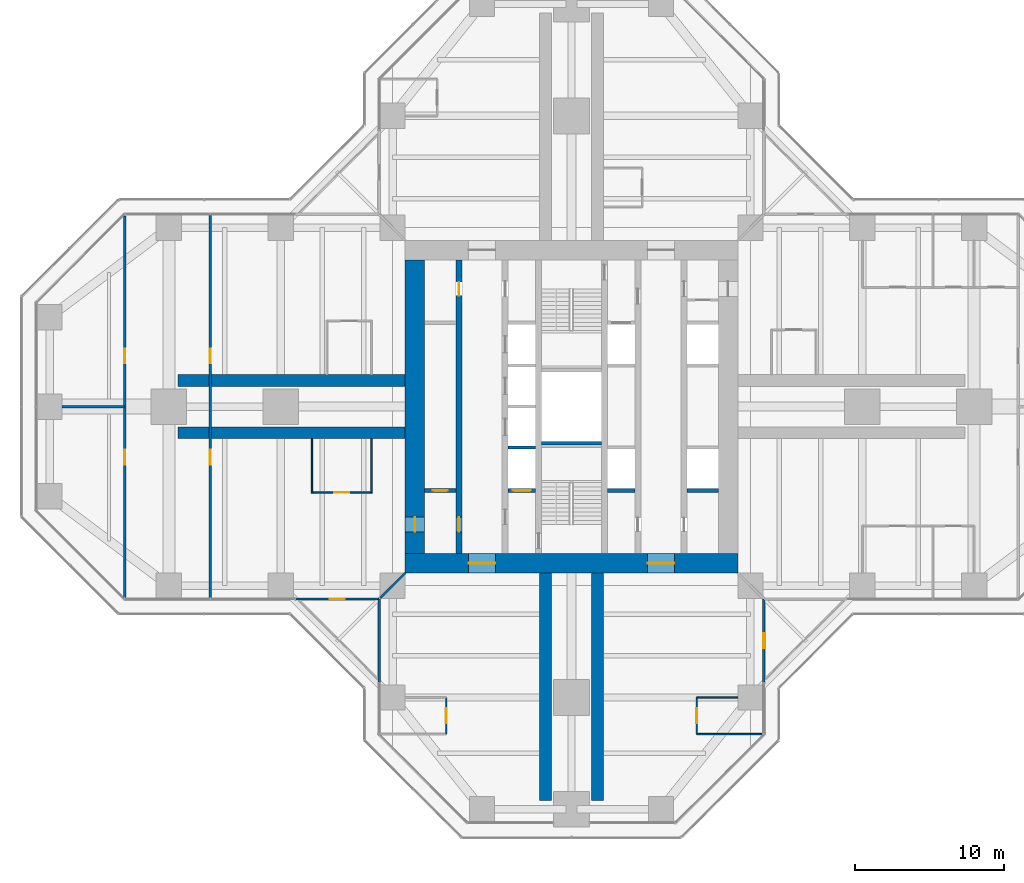
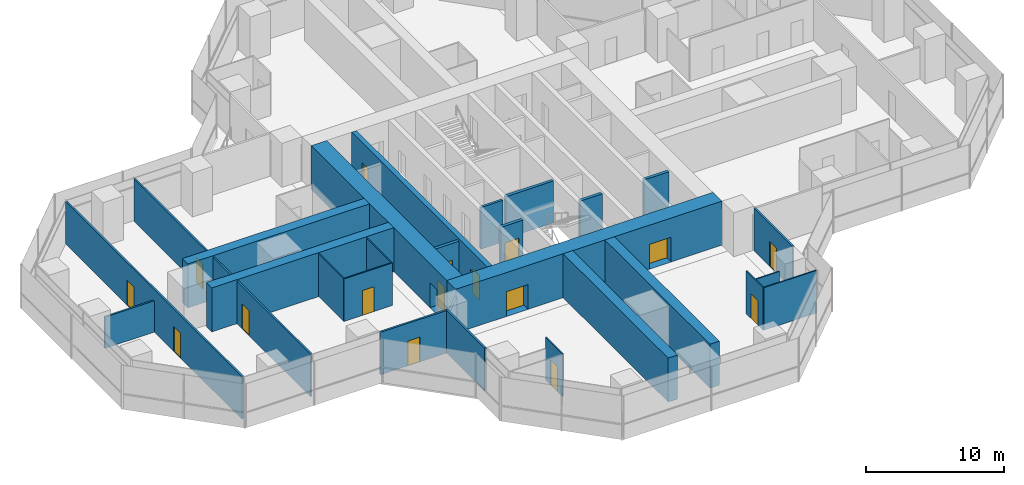
# One storey, part 15 of 20: 27 walls, 16 doors, 16 openings.
"""IFC4 building model written with IfcOpenShell, lengths in metres."""

from ifc_helpers import new_model, si_unit, direction, frame, frame_2d, origin, place, context, subcontext, project, spatial, rectangle, extrude, material, layer, layer_set, type_object, element, fill, save


model = new_model("IFC4")

# Units and contexts
model_context = context("Model", 3, precision=1e-05, world=origin(), true_north=direction((0.0, 1.0)))
body_context = subcontext(model_context, "Body", "Model", "MODEL_VIEW")
ifc_project = project(units=[si_unit("LENGTHUNIT", "METRE"), si_unit("AREAUNIT", "SQUARE_METRE"), si_unit("VOLUMEUNIT", "CUBIC_METRE"), si_unit("PLANEANGLEUNIT", "RADIAN"), si_unit("MASSUNIT", "GRAM", prefix="KILO")], contexts=[model_context])

# Site, building, storey
site_placement = place(None, origin())
site = spatial("IfcSite", under=ifc_project, at=site_placement, CompositionType="ELEMENT")
building_placement = place(site_placement, origin())
building = spatial("IfcBuilding", under=site, at=building_placement, Name="Mizan Broadcast Tower", CompositionType="ELEMENT")
storey_placement = place(building_placement, frame((0.0, 0.0, 155.39990234375)))
storey = spatial("IfcBuildingStorey", under=building, at=storey_placement, Name="L35", CompositionType="ELEMENT", Elevation=155.39990234375)

# Wall, openings, doors
ifc_material_1 = material(Name="Concrete C70/85", Category="concrete")
ifc_layer_1 = layer(ifc_material_1, 0.39990234375)
ifc_layer_set_1 = layer_set([ifc_layer_1], Name="Concrete C70/85")
wall_type_1 = type_object("IfcWallType", Name="CORE INTERNAL WALL 400", PredefinedType="SHEAR", material=ifc_layer_set_1)
wall_1_placement = place(storey_placement, frame((-7.550048828125, -9.85009765625, 0.0), z_axis=(0.0, 0.0, 1.0), x_axis=(0.0, 1.0, 0.0)))
wall_1 = element("IfcWall", 1, at=wall_1_placement, inside=storey, type_object=wall_type_1, Name="Core wall CORE/XW1", PredefinedType="SHEAR", context=body_context, shape_type="SweptSolid", body=[
    extrude(rectangle(XDim=19.7001953125, YDim=0.39990234375, at=frame_2d((9.85009765625, 0.0))), origin(), (0.0, 0.0, 1.0), 3.900146484375),
])
opening_1_placement = place(wall_1_placement, frame((1.449951171875, 0.0, 0.0)))
opening_1 = element("IfcOpeningElement", 2, at=opening_1_placement, cuts=wall_1, Name="Opening D10F", PredefinedType="OPENING", context=body_context, shape_type="SweptSolid", body=[
    extrude(rectangle(XDim=1.0, YDim=2.199951171875, at=frame_2d((0.5, 1.10009765625))), frame((0.0, 0.2099609375, 0.0), z_axis=(0.0, -1.0, 0.0), x_axis=(1.0, 0.0, 0.0)), (0.0, 0.0, 1.0), 0.419921875),
])
opening_2_placement = place(wall_1_placement, frame((17.300048828125, 0.0, 0.0)))
opening_2 = element("IfcOpeningElement", 3, at=opening_2_placement, cuts=wall_1, Name="Opening D09", PredefinedType="OPENING", context=body_context, shape_type="SweptSolid", body=[
    extrude(rectangle(XDim=0.89990234375, YDim=2.10009765625, at=frame_2d((0.449951171875, 1.050048828125))), frame((0.0, 0.2099609375, 0.0), z_axis=(0.0, -1.0, 0.0), x_axis=(1.0, 0.0, 0.0)), (0.0, 0.0, 1.0), 0.419921875),
])
ifc_material_2 = material(Name="Steel door leaf in steel frame", Category="steel")
door_type_1 = type_object("IfcDoorType", Name="FIRE DOOR 1000 FD90", OperationType="SINGLE_SWING_LEFT", PredefinedType="DOOR", material=ifc_material_2)
door_1_placement = place(opening_1_placement, origin())
door_1 = element("IfcDoor", 4, at=door_1_placement, inside=storey, type_object=door_type_1, Name="West core passage door", OperationType="SINGLE_SWING_LEFT", OverallHeight=2.199951171875, OverallWidth=1.0, PredefinedType="DOOR", context=body_context, shape_type="SweptSolid", body=[
    extrude(rectangle(XDim=1.0, YDim=2.199951171875, at=frame_2d((0.5, 1.10009765625))), frame((0.0, 0.02490234375, 0.0), z_axis=(0.0, -1.0, 0.0), x_axis=(1.0, 0.0, 0.0)), (0.0, 0.0, 1.0), 0.050048828125),
])
fill(opening_1, door_1)
ifc_material_3 = material(Name="Timber door leaf in aluminium frame", Category="wood")
door_type_2 = type_object("IfcDoorType", Name="TOILET DOOR 900", OperationType="SINGLE_SWING_LEFT", PredefinedType="DOOR", material=ifc_material_3)
door_2_placement = place(opening_2_placement, origin())
door_2 = element("IfcDoor", 5, at=door_2_placement, inside=storey, type_object=door_type_2, Name="Male WC door", OperationType="SINGLE_SWING_RIGHT", OverallHeight=2.10009765625, OverallWidth=0.89990234375, PredefinedType="DOOR", context=body_context, shape_type="SweptSolid", body=[
    extrude(rectangle(XDim=0.89990234375, YDim=2.10009765625, at=frame_2d((0.449951171875, 1.050048828125))), frame((0.0, 0.02490234375, 0.0), z_axis=(0.0, -1.0, 0.0), x_axis=(1.0, 0.0, 0.0)), (0.0, 0.0, 1.0), 0.050048828125),
])
fill(opening_2, door_2)

ifc_material_4 = material(Name="Concrete C70/85", Category="concrete")
ifc_layer_2 = layer(ifc_material_4, 1.300048828125)
ifc_layer_set_2 = layer_set([ifc_layer_2], Name="Concrete C70/85")
wall_type_2 = type_object("IfcWallType", Name="CORE WALL 1300", PredefinedType="SHEAR", material=ifc_layer_set_2)
wall_2_placement = place(storey_placement, frame((11.14990234375, -10.5, 0.0), z_axis=(0.0, 0.0, 1.0), x_axis=(-1.0, 0.0, 0.0)))
wall_2 = element("IfcWall", 6, at=wall_2_placement, inside=storey, type_object=wall_type_2, Name="Core wall S L35", PredefinedType="SHEAR", context=body_context, shape_type="SweptSolid", body=[
    extrude(rectangle(XDim=22.2998046875, YDim=1.300048828125, at=frame_2d((11.14990234375, 0.0))), origin(), (0.0, 0.0, 1.0), 3.900146484375),
])
opening_3_placement = place(wall_2_placement, frame((16.25, 0.0, 0.0)))
opening_3 = element("IfcOpeningElement", 7, at=opening_3_placement, cuts=wall_2, Name="Opening D18F", PredefinedType="OPENING", context=body_context, shape_type="SweptSolid", body=[
    extrude(rectangle(XDim=1.800048828125, YDim=2.199951171875, at=frame_2d((0.89990234375, 1.10009765625))), frame((0.0, 0.659912109375, 0.0), z_axis=(0.0, -1.0, 0.0), x_axis=(1.0, 0.0, 0.0)), (0.0, 0.0, 1.0), 1.320068359375),
])
opening_4_placement = place(wall_2_placement, frame((4.25, 0.0, 0.0)))
opening_4 = element("IfcOpeningElement", 8, at=opening_4_placement, cuts=wall_2, Name="Opening D18F", PredefinedType="OPENING", context=body_context, shape_type="SweptSolid", body=[
    extrude(rectangle(XDim=1.800048828125, YDim=2.199951171875, at=frame_2d((0.89990234375, 1.10009765625))), frame((0.0, 0.659912109375, 0.0), z_axis=(0.0, -1.0, 0.0), x_axis=(1.0, 0.0, 0.0)), (0.0, 0.0, 1.0), 1.320068359375),
])
ifc_material_5 = material(Name="Steel door leaf in steel frame", Category="steel")
door_type_3 = type_object("IfcDoorType", Name="LOBBY DOUBLE DOOR 1800 FD90", OperationType="DOUBLE_DOOR_DOUBLE_SWING", PredefinedType="DOOR", material=ifc_material_5)
door_3_placement = place(opening_3_placement, origin())
door_3 = element("IfcDoor", 9, at=door_3_placement, inside=storey, type_object=door_type_3, Name="West lift lobby south door", OperationType="DOUBLE_DOOR_DOUBLE_SWING", OverallHeight=2.199951171875, OverallWidth=1.800048828125, PredefinedType="DOOR", context=body_context, shape_type="SweptSolid", body=[
    extrude(rectangle(XDim=1.800048828125, YDim=2.199951171875, at=frame_2d((0.89990234375, 1.10009765625))), frame((0.0, 0.02490234375, 0.0), z_axis=(0.0, -1.0, 0.0), x_axis=(1.0, 0.0, 0.0)), (0.0, 0.0, 1.0), 0.050048828125),
])
fill(opening_3, door_3)
door_4_placement = place(opening_4_placement, origin())
door_4 = element("IfcDoor", 10, at=door_4_placement, inside=storey, type_object=door_type_3, Name="East lift lobby south door", OperationType="DOUBLE_DOOR_DOUBLE_SWING", OverallHeight=2.199951171875, OverallWidth=1.800048828125, PredefinedType="DOOR", context=body_context, shape_type="SweptSolid", body=[
    extrude(rectangle(XDim=1.800048828125, YDim=2.199951171875, at=frame_2d((0.89990234375, 1.10009765625))), frame((0.0, 0.02490234375, 0.0), z_axis=(0.0, -1.0, 0.0), x_axis=(1.0, 0.0, 0.0)), (0.0, 0.0, 1.0), 0.050048828125),
])
fill(opening_4, door_4)

# Wall, opening, door
wall_3_placement = place(storey_placement, frame((-10.5, 9.85009765625, 0.0), z_axis=(0.0, 0.0, 1.0), x_axis=(0.0, -1.0, 0.0)))
wall_3 = element("IfcWall", 11, at=wall_3_placement, inside=storey, type_object=wall_type_2, Name="Core wall W L35", PredefinedType="SHEAR", context=body_context, shape_type="SweptSolid", body=[
    extrude(rectangle(XDim=19.7001953125, YDim=1.300048828125, at=frame_2d((9.85009765625, 0.0))), origin(), (0.0, 0.0, 1.0), 3.900146484375),
])
opening_5_placement = place(wall_3_placement, frame((17.25, 0.0, 0.0)))
opening_5 = element("IfcOpeningElement", 12, at=opening_5_placement, cuts=wall_3, Name="Opening D10F", PredefinedType="OPENING", context=body_context, shape_type="SweptSolid", body=[
    extrude(rectangle(XDim=1.0, YDim=2.199951171875, at=frame_2d((0.5, 1.10009765625))), frame((0.0, 0.659912109375, 0.0), z_axis=(0.0, -1.0, 0.0), x_axis=(1.0, 0.0, 0.0)), (0.0, 0.0, 1.0), 1.320068359375),
])
door_5_placement = place(opening_5_placement, origin())
door_5 = element("IfcDoor", 13, at=door_5_placement, inside=storey, type_object=door_type_1, Name="West core passage arm door", OperationType="SINGLE_SWING_RIGHT", OverallHeight=2.199951171875, OverallWidth=1.0, PredefinedType="DOOR", context=body_context, shape_type="SweptSolid", body=[
    extrude(rectangle(XDim=1.0, YDim=2.199951171875, at=frame_2d((0.5, 1.10009765625))), frame((0.0, 0.02490234375, 0.0), z_axis=(0.0, -1.0, 0.0), x_axis=(1.0, 0.0, 0.0)), (0.0, 0.0, 1.0), 0.050048828125),
])
fill(opening_5, door_5)

ifc_material_6 = material(Name="Aluminium framed glazed screen", Category="aluminium")
ifc_layer_3 = layer(ifc_material_6, 0.159912109375)
ifc_layer_set_3 = layer_set([ifc_layer_3], Name="Aluminium framed glazed screen")
wall_type_3 = type_object("IfcWallType", Name="GLAZED SCREEN WALL 160", PredefinedType="SOLIDWALL", material=ifc_layer_set_3)
wall_4_placement = place(storey_placement, frame((-18.5, -12.89990234375, 0.0), z_axis=(0.0, 0.0, 1.0), x_axis=(1.0, 0.0, 0.0)))
wall_4 = element("IfcWall", 14, at=wall_4_placement, inside=storey, type_object=wall_type_3, Name="Winter garden screen L35 W", PredefinedType="SOLIDWALL", context=body_context, shape_type="SweptSolid", body=[
    extrude(rectangle(XDim=5.60009765625, YDim=0.159912109375, at=frame_2d((2.800048828125, 0.0))), origin(), (0.0, 0.0, 1.0), 3.77001953125),
])
opening_6_placement = place(wall_4_placement, frame((2.300048828125, 0.0, 0.0)))
opening_6 = element("IfcOpeningElement", 15, at=opening_6_placement, cuts=wall_4, Name="Opening WGD", PredefinedType="OPENING", context=body_context, shape_type="SweptSolid", body=[
    extrude(rectangle(XDim=1.0, YDim=2.199951171875, at=frame_2d((0.5, 1.10009765625))), frame((0.0, 0.08984375, 0.0), z_axis=(0.0, -1.0, 0.0), x_axis=(1.0, 0.0, 0.0)), (0.0, 0.0, 1.0), 0.179931640625),
])
ifc_material_7 = material(Name="Aluminium framed glazed door", Category="aluminium")
door_type_4 = type_object("IfcDoorType", Name="WINTER GARDEN DOOR 1000 GLAZED", OperationType="SINGLE_SWING_LEFT", PredefinedType="DOOR", material=ifc_material_7)
door_6_placement = place(opening_6_placement, origin())
door_6 = element("IfcDoor", 16, at=door_6_placement, inside=storey, type_object=door_type_4, Name="Winter garden door L35 W", OperationType="SINGLE_SWING_RIGHT", OverallHeight=2.199951171875, OverallWidth=1.0, PredefinedType="DOOR", context=body_context, shape_type="SweptSolid", body=[
    extrude(rectangle(XDim=1.0, YDim=2.199951171875, at=frame_2d((0.5, 1.10009765625))), frame((0.0, 0.02490234375, 0.0), z_axis=(0.0, -1.0, 0.0), x_axis=(1.0, 0.0, 0.0)), (0.0, 0.0, 1.0), 0.050048828125),
])
fill(opening_6, door_6)

# Wall
wall_5_placement = place(storey_placement, frame((-12.89990234375, -12.89990234375, 0.0), z_axis=(0.0, 0.0, 1.0), x_axis=(0.0, -1.0, 0.0)))
element("IfcWall", 17, at=wall_5_placement, inside=storey, type_object=wall_type_3, Name="Winter garden screen L35 S", PredefinedType="SOLIDWALL", context=body_context, shape_type="SweptSolid", body=[
    extrude(rectangle(XDim=5.60009765625, YDim=0.159912109375, at=frame_2d((2.800048828125, 0.0))), origin(), (0.0, 0.0, 1.0), 3.77001953125),
])

# Wall, opening, door
wall_6_placement = place(storey_placement, frame((12.89990234375, -18.5, 0.0), z_axis=(0.0, 0.0, 1.0), x_axis=(0.0, 1.0, 0.0)))
wall_6 = element("IfcWall", 18, at=wall_6_placement, inside=storey, type_object=wall_type_3, Name="Winter garden screen L35 S", PredefinedType="SOLIDWALL", context=body_context, shape_type="SweptSolid", body=[
    extrude(rectangle(XDim=5.60009765625, YDim=0.159912109375, at=frame_2d((2.800048828125, 0.0))), origin(), (0.0, 0.0, 1.0), 3.77001953125),
])
opening_7_placement = place(wall_6_placement, frame((2.300048828125, 0.0, 0.0)))
opening_7 = element("IfcOpeningElement", 19, at=opening_7_placement, cuts=wall_6, Name="Opening WGD", PredefinedType="OPENING", context=body_context, shape_type="SweptSolid", body=[
    extrude(rectangle(XDim=1.0, YDim=2.199951171875, at=frame_2d((0.5, 1.10009765625))), frame((0.0, 0.08984375, 0.0), z_axis=(0.0, -1.0, 0.0), x_axis=(1.0, 0.0, 0.0)), (0.0, 0.0, 1.0), 0.179931640625),
])
door_7_placement = place(opening_7_placement, origin())
door_7 = element("IfcDoor", 20, at=door_7_placement, inside=storey, type_object=door_type_4, Name="Winter garden door L35 S", OperationType="SINGLE_SWING_RIGHT", OverallHeight=2.199951171875, OverallWidth=1.0, PredefinedType="DOOR", context=body_context, shape_type="SweptSolid", body=[
    extrude(rectangle(XDim=1.0, YDim=2.199951171875, at=frame_2d((0.5, 1.10009765625))), frame((0.0, 0.02490234375, 0.0), z_axis=(0.0, -1.0, 0.0), x_axis=(1.0, 0.0, 0.0)), (0.0, 0.0, 1.0), 0.050048828125),
])
fill(opening_7, door_7)

# Wall
ifc_material_8 = material(Name="Concrete blockwork", Category="masonry")
ifc_layer_4 = layer(ifc_material_8, 0.199951171875)
ifc_layer_set_4 = layer_set([ifc_layer_4], Name="Concrete blockwork")
wall_type_4 = type_object("IfcWallType", Name="LIFT SHAFT WALL 200", PredefinedType="SOLIDWALL", material=ifc_layer_set_4)
wall_7_placement = place(storey_placement, frame((-4.25, -2.75, 0.0), z_axis=(0.0, 0.0, 1.0), x_axis=(1.0, 0.0, 0.0)))
element("IfcWall", 21, at=wall_7_placement, inside=storey, type_object=wall_type_4, Name="Lift shaft wall CORE/SW2-1", PredefinedType="SOLIDWALL", context=body_context, shape_type="SweptSolid", body=[
    extrude(rectangle(XDim=1.85009765625, YDim=0.199951171875, at=frame_2d((0.925048828125, 0.0))), origin(), (0.0, 0.0, 1.0), 3.7001953125),
])

# Wall, opening, door
ifc_material_9 = material(Name="Concrete blockwork", Category="masonry")
ifc_layer_5 = layer(ifc_material_9, 0.25)
ifc_layer_set_5 = layer_set([ifc_layer_5], Name="Concrete blockwork")
wall_type_5 = type_object("IfcWallType", Name="LOBBY ENCLOSURE WALL 250", PredefinedType="SOLIDWALL", material=ifc_layer_set_5)
wall_8_placement = place(storey_placement, frame((-9.85009765625, -5.625, 0.0), z_axis=(0.0, 0.0, 1.0), x_axis=(1.0, 0.0, 0.0)))
wall_8 = element("IfcWall", 22, at=wall_8_placement, inside=storey, type_object=wall_type_5, Name="Lobby enclosure wall CORE/BW1S", PredefinedType="SOLIDWALL", context=body_context, shape_type="SweptSolid", body=[
    extrude(rectangle(XDim=2.10009765625, YDim=0.25, at=frame_2d((1.050048828125, 0.0))), origin(), (0.0, 0.0, 1.0), 3.7001953125),
])
opening_8_placement = place(wall_8_placement, frame((0.550048828125, 0.0, 0.0)))
opening_8 = element("IfcOpeningElement", 23, at=opening_8_placement, cuts=wall_8, Name="Opening D10F", PredefinedType="OPENING", context=body_context, shape_type="SweptSolid", body=[
    extrude(rectangle(XDim=1.0, YDim=2.199951171875, at=frame_2d((0.5, 1.10009765625))), frame((0.0, 0.135009765625, 0.0), z_axis=(0.0, -1.0, 0.0), x_axis=(1.0, 0.0, 0.0)), (0.0, 0.0, 1.0), 0.27001953125),
])
door_8_placement = place(opening_8_placement, origin())
door_8 = element("IfcDoor", 24, at=door_8_placement, inside=storey, type_object=door_type_1, Name="Staff locker room door", OperationType="SINGLE_SWING_RIGHT", OverallHeight=2.199951171875, OverallWidth=1.0, PredefinedType="DOOR", context=body_context, shape_type="SweptSolid", body=[
    extrude(rectangle(XDim=1.0, YDim=2.199951171875, at=frame_2d((0.5, 1.10009765625))), frame((0.0, 0.02490234375, 0.0), z_axis=(0.0, -1.0, 0.0), x_axis=(1.0, 0.0, 0.0)), (0.0, 0.0, 1.0), 0.050048828125),
])
fill(opening_8, door_8)

wall_9_placement = place(storey_placement, frame((-4.25, -5.625, 0.0), z_axis=(0.0, 0.0, 1.0), x_axis=(1.0, 0.0, 0.0)))
wall_9 = element("IfcWall", 25, at=wall_9_placement, inside=storey, type_object=wall_type_5, Name="Lobby enclosure wall CORE/BW2S", PredefinedType="SOLIDWALL", context=body_context, shape_type="SweptSolid", body=[
    extrude(rectangle(XDim=1.85009765625, YDim=0.25, at=frame_2d((0.925048828125, 0.0))), origin(), (0.0, 0.0, 1.0), 3.7001953125),
])
opening_9_placement = place(wall_9_placement, frame((0.324951171875, 0.0, 0.0)))
opening_9 = element("IfcOpeningElement", 26, at=opening_9_placement, cuts=wall_9, Name="Opening LDF", PredefinedType="OPENING", context=body_context, shape_type="SweptSolid", body=[
    extrude(rectangle(XDim=1.199951171875, YDim=2.199951171875, at=frame_2d((0.60009765625, 1.10009765625))), frame((0.0, 0.135009765625, 0.0), z_axis=(0.0, -1.0, 0.0), x_axis=(1.0, 0.0, 0.0)), (0.0, 0.0, 1.0), 0.27001953125),
])
ifc_material_10 = material(Name="Steel door leaf in steel frame", Category="steel")
door_type_5 = type_object("IfcDoorType", Name="FIREFIGHTING LIFT LANDING DOOR 1200", OperationType="SLIDING_TO_LEFT", PredefinedType="DOOR", material=ifc_material_10)
door_9_placement = place(opening_9_placement, origin())
door_9 = element("IfcDoor", 27, at=door_9_placement, inside=storey, type_object=door_type_5, Name="Landing door FF1", OperationType="SLIDING_TO_LEFT", OverallHeight=2.199951171875, OverallWidth=1.199951171875, PredefinedType="DOOR", context=body_context, shape_type="SweptSolid", body=[
    extrude(rectangle(XDim=1.199951171875, YDim=2.199951171875, at=frame_2d((0.60009765625, 1.10009765625))), frame((0.0, 0.02490234375, 0.0), z_axis=(0.0, -1.0, 0.0), x_axis=(1.0, 0.0, 0.0)), (0.0, 0.0, 1.0), 0.050048828125),
])
fill(opening_9, door_9)

# Walls
wall_10_placement = place(storey_placement, frame((2.39990234375, -5.625, 0.0), z_axis=(0.0, 0.0, 1.0), x_axis=(1.0, 0.0, 0.0)))
element("IfcWall", 28, at=wall_10_placement, inside=storey, type_object=wall_type_5, Name="Lobby enclosure wall CORE/BE2S", PredefinedType="SOLIDWALL", context=body_context, shape_type="SweptSolid", body=[
    extrude(rectangle(XDim=1.85009765625, YDim=0.25, at=frame_2d((0.925048828125, 0.0))), origin(), (0.0, 0.0, 1.0), 3.7001953125),
])
wall_11_placement = place(storey_placement, frame((7.75, -5.625, 0.0), z_axis=(0.0, 0.0, 1.0), x_axis=(1.0, 0.0, 0.0)))
element("IfcWall", 29, at=wall_11_placement, inside=storey, type_object=wall_type_5, Name="Lobby enclosure wall CORE/BE1S", PredefinedType="SOLIDWALL", context=body_context, shape_type="SweptSolid", body=[
    extrude(rectangle(XDim=2.10009765625, YDim=0.25, at=frame_2d((1.050048828125, 0.0))), origin(), (0.0, 0.0, 1.0), 3.7001953125),
])
wall_12_placement = place(storey_placement, frame((-2.0, -2.449951171875, 0.0), z_axis=(0.0, 0.0, 1.0), x_axis=(1.0, 0.0, 0.0)))
element("IfcWall", 30, at=wall_12_placement, inside=storey, type_object=wall_type_5, Name="Lobby enclosure wall CORE/STA", PredefinedType="SOLIDWALL", context=body_context, shape_type="SweptSolid", body=[
    extrude(rectangle(XDim=4.0, YDim=0.25, at=frame_2d((2.0, 0.0))), origin(), (0.0, 0.0, 1.0), 3.7001953125),
])

# Wall, openings, doors
ifc_material_11 = material(Name="Gypsum board on steel studs", Category="steel")
ifc_layer_6 = layer(ifc_material_11, 0.14990234375)
ifc_layer_set_6 = layer_set([ifc_layer_6], Name="Gypsum board on steel studs")
wall_type_6 = type_object("IfcWallType", Name="PARTITION 150", PredefinedType="PARTITIONING", material=ifc_layer_set_6)
wall_13_placement = place(storey_placement, frame((-24.22900390625, 12.820068359375, 0.0), z_axis=(0.0, 0.0, 1.0), x_axis=(0.0, -1.0, 0.0)))
wall_13 = element("IfcWall", 31, at=wall_13_placement, inside=storey, type_object=wall_type_6, Name="Partition PT/WX1", PredefinedType="PARTITIONING", context=body_context, shape_type="SweptSolid", body=[
    extrude(rectangle(XDim=25.64013671875, YDim=0.14990234375, at=frame_2d((12.820068359375, 0.0))), origin(), (0.0, 0.0, 1.0), 3.77001953125),
])
opening_10_placement = place(wall_13_placement, frame((15.719970703125, 0.0, 0.0)))
opening_10 = element("IfcOpeningElement", 32, at=opening_10_placement, cuts=wall_13, Name="Opening D10", PredefinedType="OPENING", context=body_context, shape_type="SweptSolid", body=[
    extrude(rectangle(XDim=1.0, YDim=2.199951171875, at=frame_2d((0.5, 1.10009765625))), frame((0.0, 0.0849609375, 0.0), z_axis=(0.0, -1.0, 0.0), x_axis=(1.0, 0.0, 0.0)), (0.0, 0.0, 1.0), 0.169921875),
])
opening_11_placement = place(wall_13_placement, frame((8.919921875, 0.0, 0.0)))
opening_11 = element("IfcOpeningElement", 33, at=opening_11_placement, cuts=wall_13, Name="Opening D10", PredefinedType="OPENING", context=body_context, shape_type="SweptSolid", body=[
    extrude(rectangle(XDim=1.0, YDim=2.199951171875, at=frame_2d((0.5, 1.10009765625))), frame((0.0, 0.0849609375, 0.0), z_axis=(0.0, -1.0, 0.0), x_axis=(1.0, 0.0, 0.0)), (0.0, 0.0, 1.0), 0.169921875),
])
ifc_material_12 = material(Name="Timber door leaf in aluminium frame", Category="wood")
door_type_6 = type_object("IfcDoorType", Name="ROOM DOOR 1000", OperationType="SINGLE_SWING_LEFT", PredefinedType="DOOR", material=ifc_material_12)
door_10_placement = place(opening_10_placement, origin())
door_10 = element("IfcDoor", 34, at=door_10_placement, inside=storey, type_object=door_type_6, Name="Open office door", OperationType="SINGLE_SWING_RIGHT", OverallHeight=2.199951171875, OverallWidth=1.0, PredefinedType="DOOR", context=body_context, shape_type="SweptSolid", body=[
    extrude(rectangle(XDim=1.0, YDim=2.199951171875, at=frame_2d((0.5, 1.10009765625))), frame((0.0, 0.02490234375, 0.0), z_axis=(0.0, -1.0, 0.0), x_axis=(1.0, 0.0, 0.0)), (0.0, 0.0, 1.0), 0.050048828125),
])
fill(opening_10, door_10)
door_11_placement = place(opening_11_placement, origin())
door_11 = element("IfcDoor", 35, at=door_11_placement, inside=storey, type_object=door_type_6, Name="Open office door", OperationType="SINGLE_SWING_LEFT", OverallHeight=2.199951171875, OverallWidth=1.0, PredefinedType="DOOR", context=body_context, shape_type="SweptSolid", body=[
    extrude(rectangle(XDim=1.0, YDim=2.199951171875, at=frame_2d((0.5, 1.10009765625))), frame((0.0, 0.02490234375, 0.0), z_axis=(0.0, -1.0, 0.0), x_axis=(1.0, 0.0, 0.0)), (0.0, 0.0, 1.0), 0.050048828125),
])
fill(opening_11, door_11)

wall_14_placement = place(storey_placement, frame((-29.958984375, 12.786376953125, 0.0), z_axis=(0.0, 0.0, 1.0), x_axis=(0.0, -1.0, 0.0)))
wall_14 = element("IfcWall", 36, at=wall_14_placement, inside=storey, type_object=wall_type_6, Name="Partition PT/WX2", PredefinedType="PARTITIONING", context=body_context, shape_type="SweptSolid", body=[
    extrude(rectangle(XDim=25.57275390625, YDim=0.14990234375, at=frame_2d((12.786376953125, 0.0))), origin(), (0.0, 0.0, 1.0), 3.77001953125),
])
opening_12_placement = place(wall_14_placement, frame((15.6865234375, 0.0, 0.0)))
opening_12 = element("IfcOpeningElement", 37, at=opening_12_placement, cuts=wall_14, Name="Opening D10", PredefinedType="OPENING", context=body_context, shape_type="SweptSolid", body=[
    extrude(rectangle(XDim=1.0, YDim=2.199951171875, at=frame_2d((0.5, 1.10009765625))), frame((0.0, 0.0849609375, 0.0), z_axis=(0.0, -1.0, 0.0), x_axis=(1.0, 0.0, 0.0)), (0.0, 0.0, 1.0), 0.169921875),
])
opening_13_placement = place(wall_14_placement, frame((8.886474609375, 0.0, 0.0)))
opening_13 = element("IfcOpeningElement", 38, at=opening_13_placement, cuts=wall_14, Name="Opening D10", PredefinedType="OPENING", context=body_context, shape_type="SweptSolid", body=[
    extrude(rectangle(XDim=1.0, YDim=2.199951171875, at=frame_2d((0.5, 1.10009765625))), frame((0.0, 0.0849609375, 0.0), z_axis=(0.0, -1.0, 0.0), x_axis=(1.0, 0.0, 0.0)), (0.0, 0.0, 1.0), 0.169921875),
])
door_12_placement = place(opening_12_placement, origin())
door_12 = element("IfcDoor", 39, at=door_12_placement, inside=storey, type_object=door_type_6, Name="Open office door", OperationType="SINGLE_SWING_RIGHT", OverallHeight=2.199951171875, OverallWidth=1.0, PredefinedType="DOOR", context=body_context, shape_type="SweptSolid", body=[
    extrude(rectangle(XDim=1.0, YDim=2.199951171875, at=frame_2d((0.5, 1.10009765625))), frame((0.0, 0.02490234375, 0.0), z_axis=(0.0, -1.0, 0.0), x_axis=(1.0, 0.0, 0.0)), (0.0, 0.0, 1.0), 0.050048828125),
])
fill(opening_12, door_12)
door_13_placement = place(opening_13_placement, origin())
door_13 = element("IfcDoor", 40, at=door_13_placement, inside=storey, type_object=door_type_6, Name="Open office door", OperationType="SINGLE_SWING_LEFT", OverallHeight=2.199951171875, OverallWidth=1.0, PredefinedType="DOOR", context=body_context, shape_type="SweptSolid", body=[
    extrude(rectangle(XDim=1.0, YDim=2.199951171875, at=frame_2d((0.5, 1.10009765625))), frame((0.0, 0.02490234375, 0.0), z_axis=(0.0, -1.0, 0.0), x_axis=(1.0, 0.0, 0.0)), (0.0, 0.0, 1.0), 0.050048828125),
])
fill(opening_13, door_13)

# Walls
wall_15_placement = place(storey_placement, frame((-29.958984375, 0.0, 0.0), z_axis=(0.0, 0.0, 1.0), x_axis=(-1.0, 0.0, 0.0)))
element("IfcWall", 41, at=wall_15_placement, inside=storey, type_object=wall_type_6, Name="Partition PT/WES", PredefinedType="PARTITIONING", context=body_context, shape_type="SweptSolid", body=[
    extrude(rectangle(XDim=4.19091796875, YDim=0.14990234375, at=frame_2d((2.095458984375, 0.0))), origin(), (0.0, 0.0, 1.0), 2.77001953125),
])
wall_16_placement = place(storey_placement, frame((-11.14990234375, -11.14990234375, 0.0), z_axis=(0.0, 0.0, 1.0), x_axis=(-0.707106781187, -0.707106781187, 0.0)))
element("IfcWall", 42, at=wall_16_placement, inside=storey, type_object=wall_type_6, Name="Partition PT/DGWS", PredefinedType="PARTITIONING", context=body_context, shape_type="SweptSolid", body=[
    extrude(rectangle(XDim=2.362060546875, YDim=0.14990234375, at=frame_2d((1.18115234375, 0.0))), origin(), (0.0, 0.0, 1.0), 3.22021484375),
])
ifc_material_13 = material(Name="Glazed aluminium partition on aluminium track", Category="aluminium")
ifc_layer_7 = layer(ifc_material_13, 0.10009765625)
ifc_layer_set_7 = layer_set([ifc_layer_7], Name="Glazed aluminium partition on aluminium track")
wall_type_7 = type_object("IfcWallType", Name="PARTITION GLAZED OFFICE FRONT 100", PredefinedType="PARTITIONING", material=ifc_layer_set_7)
for number, where, z_axis, x_axis, name in (
    (43, (-13.39990234375, -2.14990234375, 0.0), (0.0, 0.0, 1.0), (0.0, -1.0, 0.0), "Glazed office front PT/WKP0a"),
    (44, (-17.39990234375, -2.14990234375, 0.0), (0.0, 0.0, 1.0), (0.0, -1.0, 0.0), "Glazed office front PT/WKP0b"),
):
    element("IfcWall", number, at=place(storey_placement, frame(where, z_axis=z_axis, x_axis=x_axis)), inside=storey, type_object=wall_type_7, Name=name, PredefinedType="PARTITIONING", context=body_context, shape_type="SweptSolid", body=[
        extrude(rectangle(XDim=3.60009765625, YDim=0.10009765625, at=frame_2d((1.800048828125, 0.0))), origin(), (0.0, 0.0, 1.0), 3.77001953125),
    ])

# Wall, opening, door
wall_17_placement = place(storey_placement, frame((-13.35009765625, -5.75, 0.0), z_axis=(0.0, 0.0, 1.0), x_axis=(-1.0, 0.0, 0.0)))
wall_17 = element("IfcWall", 45, at=wall_17_placement, inside=storey, type_object=wall_type_7, Name="Glazed office front PT/WKP0f", PredefinedType="PARTITIONING", context=body_context, shape_type="SweptSolid", body=[
    extrude(rectangle(XDim=4.099853515625, YDim=0.10009765625, at=frame_2d((2.0498046875, 0.0))), origin(), (0.0, 0.0, 1.0), 3.77001953125),
])
opening_14_placement = place(wall_17_placement, frame((1.550048828125, 0.0, 0.0)))
opening_14 = element("IfcOpeningElement", 46, at=opening_14_placement, cuts=wall_17, Name="Opening D10O", PredefinedType="OPENING", context=body_context, shape_type="SweptSolid", body=[
    extrude(rectangle(XDim=1.0, YDim=2.199951171875, at=frame_2d((0.5, 1.10009765625))), frame((0.0, 0.06005859375, 0.0), z_axis=(0.0, -1.0, 0.0), x_axis=(1.0, 0.0, 0.0)), (0.0, 0.0, 1.0), 0.1201171875),
])
ifc_material_14 = material(Name="Timber door leaf in aluminium frame", Category="wood")
door_type_7 = type_object("IfcDoorType", Name="OFFICE DOOR 1000 GLAZED", OperationType="SINGLE_SWING_LEFT", PredefinedType="DOOR", material=ifc_material_14)
door_14_placement = place(opening_14_placement, origin())
door_14 = element("IfcDoor", 47, at=door_14_placement, inside=storey, type_object=door_type_7, Name="Comms room door", OperationType="SINGLE_SWING_LEFT", OverallHeight=2.199951171875, OverallWidth=1.0, PredefinedType="DOOR", context=body_context, shape_type="SweptSolid", body=[
    extrude(rectangle(XDim=1.0, YDim=2.199951171875, at=frame_2d((0.5, 1.10009765625))), frame((0.0, 0.02490234375, 0.0), z_axis=(0.0, -1.0, 0.0), x_axis=(1.0, 0.0, 0.0)), (0.0, 0.0, 1.0), 0.050048828125),
])
fill(opening_14, door_14)

wall_18_placement = place(storey_placement, frame((8.39990234375, -19.5, 0.0), z_axis=(0.0, 0.0, 1.0), x_axis=(0.0, -1.0, 0.0)))
wall_18 = element("IfcWall", 48, at=wall_18_placement, inside=storey, type_object=wall_type_7, Name="Glazed office front PT/SCP0", PredefinedType="PARTITIONING", context=body_context, shape_type="SweptSolid", body=[
    extrude(rectangle(XDim=2.458984375, YDim=0.10009765625, at=frame_2d((1.2294921875, 0.0))), origin(), (0.0, 0.0, 1.0), 3.77001953125),
])
opening_15_placement = place(wall_18_placement, frame((0.7294921875, 0.0, 0.0)))
opening_15 = element("IfcOpeningElement", 49, at=opening_15_placement, cuts=wall_18, Name="Opening D10O", PredefinedType="OPENING", context=body_context, shape_type="SweptSolid", body=[
    extrude(rectangle(XDim=1.0, YDim=2.199951171875, at=frame_2d((0.5, 1.10009765625))), frame((0.0, 0.06005859375, 0.0), z_axis=(0.0, -1.0, 0.0), x_axis=(1.0, 0.0, 0.0)), (0.0, 0.0, 1.0), 0.1201171875),
])
door_15_placement = place(opening_15_placement, origin())
door_15 = element("IfcDoor", 50, at=door_15_placement, inside=storey, type_object=door_type_7, Name="Office door", OperationType="SINGLE_SWING_LEFT", OverallHeight=2.199951171875, OverallWidth=1.0, PredefinedType="DOOR", context=body_context, shape_type="SweptSolid", body=[
    extrude(rectangle(XDim=1.0, YDim=2.199951171875, at=frame_2d((0.5, 1.10009765625))), frame((0.0, 0.02490234375, 0.0), z_axis=(0.0, -1.0, 0.0), x_axis=(1.0, 0.0, 0.0)), (0.0, 0.0, 1.0), 0.050048828125),
])
fill(opening_15, door_15)

# Walls
wall_19_placement = place(storey_placement, frame((8.39990234375, -19.5, 0.0), z_axis=(0.0, 0.0, 1.0), x_axis=(1.0, 0.0, 0.0)))
element("IfcWall", 51, at=wall_19_placement, inside=storey, type_object=wall_type_7, Name="Glazed office front PT/SQP1950", PredefinedType="PARTITIONING", context=body_context, shape_type="SweptSolid", body=[
    extrude(rectangle(XDim=2.75, YDim=0.10009765625, at=frame_2d((1.375, 0.0))), origin(), (0.0, 0.0, 1.0), 2.77001953125),
])
wall_20_placement = place(storey_placement, frame((8.39990234375, -21.958984375, 0.0), z_axis=(0.0, 0.0, 1.0), x_axis=(1.0, 0.0, 0.0)))
element("IfcWall", 52, at=wall_20_placement, inside=storey, type_object=wall_type_7, Name="Glazed office front PT/SQP2196", PredefinedType="PARTITIONING", context=body_context, shape_type="SweptSolid", body=[
    extrude(rectangle(XDim=4.420166015625, YDim=0.10009765625, at=frame_2d((2.2099609375, 0.0))), origin(), (0.0, 0.0, 1.0), 3.77001953125),
])

# Wall, opening, door
wall_21_placement = place(storey_placement, frame((-8.39990234375, -19.5, 0.0), z_axis=(0.0, 0.0, 1.0), x_axis=(0.0, -1.0, 0.0)))
wall_21 = element("IfcWall", 53, at=wall_21_placement, inside=storey, type_object=wall_type_7, Name="Glazed office front PT/SCN0", PredefinedType="PARTITIONING", context=body_context, shape_type="SweptSolid", body=[
    extrude(rectangle(XDim=2.458984375, YDim=0.10009765625, at=frame_2d((1.2294921875, 0.0))), origin(), (0.0, 0.0, 1.0), 3.77001953125),
])
opening_16_placement = place(wall_21_placement, frame((0.7294921875, 0.0, 0.0)))
opening_16 = element("IfcOpeningElement", 54, at=opening_16_placement, cuts=wall_21, Name="Opening D10O", PredefinedType="OPENING", context=body_context, shape_type="SweptSolid", body=[
    extrude(rectangle(XDim=1.0, YDim=2.199951171875, at=frame_2d((0.5, 1.10009765625))), frame((0.0, 0.06005859375, 0.0), z_axis=(0.0, -1.0, 0.0), x_axis=(1.0, 0.0, 0.0)), (0.0, 0.0, 1.0), 0.1201171875),
])
door_16_placement = place(opening_16_placement, origin())
door_16 = element("IfcDoor", 55, at=door_16_placement, inside=storey, type_object=door_type_7, Name="Test room door", OperationType="SINGLE_SWING_LEFT", OverallHeight=2.199951171875, OverallWidth=1.0, PredefinedType="DOOR", context=body_context, shape_type="SweptSolid", body=[
    extrude(rectangle(XDim=1.0, YDim=2.199951171875, at=frame_2d((0.5, 1.10009765625))), frame((0.0, 0.02490234375, 0.0), z_axis=(0.0, -1.0, 0.0), x_axis=(1.0, 0.0, 0.0)), (0.0, 0.0, 1.0), 0.050048828125),
])
fill(opening_16, door_16)

# Walls
ifc_material_15 = material(Name="Concrete C70/85", Category="concrete")
ifc_layer_8 = layer(ifc_material_15, 0.800048828125)
ifc_layer_set_8 = layer_set([ifc_layer_8], Name="Concrete C70/85")
wall_type_8 = type_object("IfcWallType", Name="SPINE WALL 800", PredefinedType="SHEAR", material=ifc_layer_set_8)
for number, where, z_axis, x_axis, name in (
    (56, (-11.14990234375, 1.75, 0.0), (0.0, 0.0, 1.0), (-1.0, 0.0, 0.0), "Spine wall WR L35"),
    (57, (-11.14990234375, -1.75, 0.0), (0.0, 0.0, 1.0), (-1.0, 0.0, 0.0), "Spine wall WL L35"),
    (58, (-1.75, -11.14990234375, 0.0), (0.0, 0.0, 1.0), (0.0, -1.0, 0.0), "Spine wall SR L35"),
    (59, (1.75, -11.14990234375, 0.0), (0.0, 0.0, 1.0), (0.0, -1.0, 0.0), "Spine wall SL L35"),
):
    element("IfcWall", number, at=place(storey_placement, frame(where, z_axis=z_axis, x_axis=x_axis)), inside=storey, type_object=wall_type_8, Name=name, PredefinedType="SHEAR", context=body_context, shape_type="SweptSolid", body=[
        extrude(rectangle(XDim=15.25, YDim=0.800048828125, at=frame_2d((7.625, 0.0))), origin(), (0.0, 0.0, 1.0), 3.900146484375),
    ])

save(model, "model.ifc")
